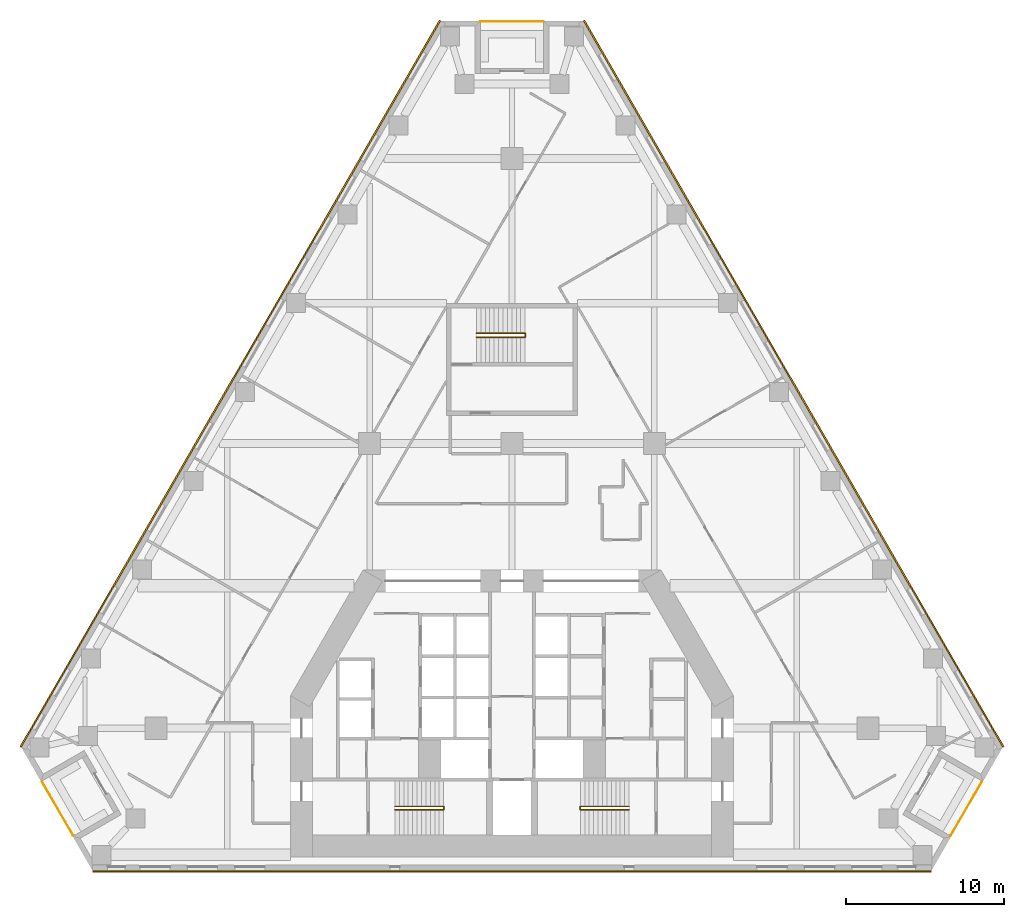
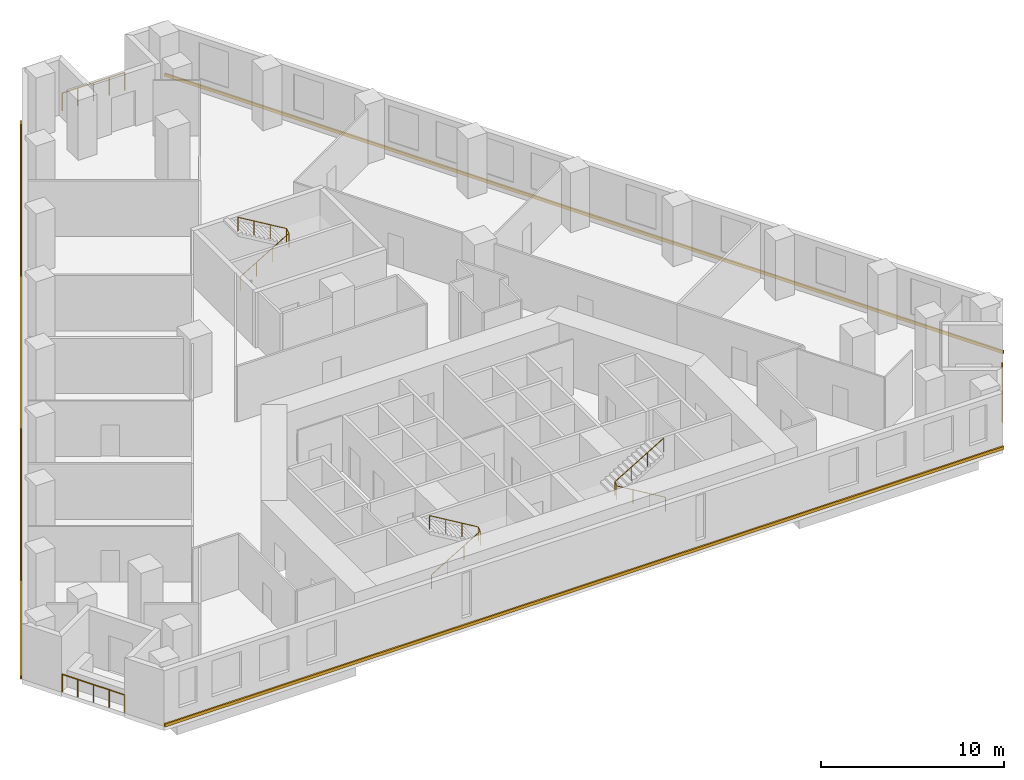
# One storey, part 9 of 9: 6 railings, 3 coverings.
"""IFC4 building model written with IfcOpenShell, lengths in metres."""

from ifc_helpers import new_model, si_unit, direction, frame, origin, origin_2d, place, context, subcontext, project, spatial, polyline, circle, outline, extrude, material, type_object, element, save


model = new_model("IFC4")

# Units and contexts
model_context = context("Model", 3, precision=1e-05, world=origin(), true_north=direction((0.0, 1.0)))
body_context = subcontext(model_context, "Body", "Model", "MODEL_VIEW")
ifc_project = project(units=[si_unit("LENGTHUNIT", "METRE"), si_unit("AREAUNIT", "SQUARE_METRE"), si_unit("VOLUMEUNIT", "CUBIC_METRE"), si_unit("PLANEANGLEUNIT", "RADIAN"), si_unit("MASSUNIT", "GRAM", prefix="KILO")], contexts=[model_context])

# Site, building, storey
site_placement = place(None, origin())
site = spatial("IfcSite", under=ifc_project, at=site_placement, CompositionType="ELEMENT")
building_placement = place(site_placement, origin())
building = spatial("IfcBuilding", under=site, at=building_placement, Name="Fogline Exchange Tower", CompositionType="ELEMENT")
storey_placement = place(building_placement, frame((0.0, 0.0, 80.89990234375)))
storey = spatial("IfcBuildingStorey", under=building, at=storey_placement, Name="L17", CompositionType="ELEMENT", Elevation=80.89990234375)

# Railings
ifc_material_1 = material(Name="Stainless steel 304", Category="steel")
railing_type_1 = type_object("IfcRailingType", Name="G1", PredefinedType="GUARDRAIL", material=ifc_material_1)
railing_1_placement = place(storey_placement, frame((-29.70654296875, 5.635986328125, 0.0)))
element("IfcRailing", 1, at=railing_1_placement, inside=storey, type_object=railing_type_1, Name="Balcony guard L17 SW", PredefinedType="GUARDRAIL", context=body_context, shape_type="SweptSolid", body=[
    extrude(circle(Radius=0.02392578125, at=origin_2d()), frame((0.0, 0.0, 1.17578125), z_axis=(0.500000102728, -0.866025344474, 0.0), x_axis=(0.866025344474, 0.500000102728, 0.0)), (0.0, 0.0, 1.0), 3.9580078125),
    extrude(circle(Radius=0.02099609375, at=origin_2d()), origin(), (0.0, 0.0, 1.0), 1.15185546875),
    extrude(circle(Radius=0.02099609375, at=origin_2d()), frame((0.49462890625, -0.85693359375, 0.0)), (0.0, 0.0, 1.0), 1.15185546875),
    extrude(circle(Radius=0.02099609375, at=origin_2d()), frame((0.989501953125, -1.7138671875, 0.0)), (0.0, 0.0, 1.0), 1.15185546875),
    extrude(circle(Radius=0.02099609375, at=origin_2d()), frame((1.484375, -2.57080078125, 0.0)), (0.0, 0.0, 1.0), 1.15185546875),
    extrude(circle(Radius=0.02099609375, at=origin_2d()), frame((1.97900390625, -3.427734375, 0.0)), (0.0, 0.0, 1.0), 1.15185546875),
])
railing_2_placement = place(storey_placement, frame((27.7275390625, 2.208251953125, 0.0)))
element("IfcRailing", 2, at=railing_2_placement, inside=storey, type_object=railing_type_1, Name="Balcony guard L17 SE", PredefinedType="GUARDRAIL", context=body_context, shape_type="SweptSolid", body=[
    extrude(circle(Radius=0.02392578125, at=origin_2d()), frame((0.0, 0.0, 1.17578125), z_axis=(0.500000102728, 0.866025344474, 0.0), x_axis=(-0.866025344474, 0.500000102728, 0.0)), (0.0, 0.0, 1.0), 3.9580078125),
    extrude(circle(Radius=0.02099609375, at=origin_2d()), origin(), (0.0, 0.0, 1.0), 1.15185546875),
    extrude(circle(Radius=0.02099609375, at=origin_2d()), frame((0.49462890625, 0.85693359375, 0.0)), (0.0, 0.0, 1.0), 1.15185546875),
    extrude(circle(Radius=0.02099609375, at=origin_2d()), frame((0.989501953125, 1.7138671875, 0.0)), (0.0, 0.0, 1.0), 1.15185546875),
    extrude(circle(Radius=0.02099609375, at=origin_2d()), frame((1.484375, 2.57080078125, 0.0)), (0.0, 0.0, 1.0), 1.15185546875),
    extrude(circle(Radius=0.02099609375, at=origin_2d()), frame((1.97900390625, 3.427734375, 0.0)), (0.0, 0.0, 1.0), 1.15185546875),
])
railing_3_placement = place(storey_placement, frame((1.97900390625, 53.66162109375, 0.0)))
element("IfcRailing", 3, at=railing_3_placement, inside=storey, type_object=railing_type_1, Name="Balcony guard L17 N", PredefinedType="GUARDRAIL", context=body_context, shape_type="SweptSolid", body=[
    extrude(circle(Radius=0.02392578125, at=origin_2d()), frame((0.0, 0.0, 1.17578125), z_axis=(-1.0, 0.0, 0.0), x_axis=(0.0, -1.0, 0.0)), (0.0, 0.0, 1.0), 3.9580078125),
    extrude(circle(Radius=0.02099609375, at=origin_2d()), origin(), (0.0, 0.0, 1.0), 1.15185546875),
    extrude(circle(Radius=0.02099609375, at=origin_2d()), frame((-0.989501953125, 0.0, 0.0)), (0.0, 0.0, 1.0), 1.15185546875),
    extrude(circle(Radius=0.02099609375, at=origin_2d()), frame((-1.97900390625, 0.0, 0.0)), (0.0, 0.0, 1.0), 1.15185546875),
    extrude(circle(Radius=0.02099609375, at=origin_2d()), frame((-2.968505859375, 0.0, 0.0)), (0.0, 0.0, 1.0), 1.15185546875),
    extrude(circle(Radius=0.02099609375, at=origin_2d()), frame((-3.9580078125, 0.0, 0.0)), (0.0, 0.0, 1.0), 1.15185546875),
])
ifc_material_2 = material(Name="Steel Q235B", Category="steel")
railing_type_2 = type_object("IfcRailingType", Name="RL-HR", PredefinedType="HANDRAIL", material=ifc_material_2)
railing_4_placement = place(storey_placement, frame((-7.39990234375, 3.85009765625, 0.166748046875)))
element("IfcRailing", 4, at=railing_4_placement, inside=storey, type_object=railing_type_2, Name="Handrail ST1", PredefinedType="HANDRAIL", context=body_context, shape_type="SweptSolid", body=[
    extrude(circle(Radius=0.02392578125, at=origin_2d()), frame((0.0, 0.0, 0.92578125), z_axis=(0.859290745958, 0.0, 0.51148745235), x_axis=(0.0, 1.0, 0.0)), (0.0, 0.0, 1.0), 3.584228515625),
    extrude(circle(Radius=0.02392578125, at=origin_2d()), frame((3.079833984375, 0.0, 2.75927734375), z_axis=(0.0, 0.767990643491, 0.640461061666), x_axis=(-1.0, 0.0, 0.0)), (0.0, 0.0, 1.0), 0.26025390625),
    extrude(circle(Radius=0.02392578125, at=origin_2d()), frame((3.079833984375, 0.199951171875, 2.92578125), z_axis=(-0.859290745958, 0.0, 0.51148745235), x_axis=(0.0, -1.0, 0.0)), (0.0, 0.0, 1.0), 3.584228515625),
    extrude(circle(Radius=0.02099609375, at=origin_2d()), origin(), (0.0, 0.0, 1.0), 0.90185546875),
    extrude(circle(Radius=0.02099609375, at=origin_2d()), frame((1.026611328125, 0.0, 0.611083984375)), (0.0, 0.0, 1.0), 0.90185546875),
    extrude(circle(Radius=0.02099609375, at=origin_2d()), frame((2.05322265625, 0.0, 1.22216796875)), (0.0, 0.0, 1.0), 0.90185546875),
    extrude(circle(Radius=0.02099609375, at=origin_2d()), frame((3.079833984375, 0.0, 1.833251953125)), (0.0, 0.0, 1.0), 0.90185546875),
    extrude(circle(Radius=0.02099609375, at=origin_2d()), frame((3.079833984375, 0.199951171875, 2.0)), (0.0, 0.0, 1.0), 0.90185546875),
    extrude(circle(Radius=0.02099609375, at=origin_2d()), frame((2.05322265625, 0.199951171875, 2.611083984375)), (0.0, 0.0, 1.0), 0.90185546875),
    extrude(circle(Radius=0.02099609375, at=origin_2d()), frame((1.026611328125, 0.199951171875, 3.22216796875)), (0.0, 0.0, 1.0), 0.90185546875),
    extrude(circle(Radius=0.02099609375, at=origin_2d()), frame((0.0, 0.199951171875, 3.833251953125)), (0.0, 0.0, 1.0), 0.90185546875),
])
railing_5_placement = place(storey_placement, frame((7.39990234375, 3.85009765625, 0.166748046875)))
element("IfcRailing", 5, at=railing_5_placement, inside=storey, type_object=railing_type_2, Name="Handrail ST2", PredefinedType="HANDRAIL", context=body_context, shape_type="SweptSolid", body=[
    extrude(circle(Radius=0.02392578125, at=origin_2d()), frame((0.0, 0.0, 0.92578125), z_axis=(-0.859290745958, 0.0, 0.51148745235), x_axis=(0.0, -1.0, 0.0)), (0.0, 0.0, 1.0), 3.584228515625),
    extrude(circle(Radius=0.02392578125, at=origin_2d()), frame((-3.079833984375, 0.0, 2.75927734375), z_axis=(0.0, 0.767990643491, 0.640461061666), x_axis=(-1.0, 0.0, 0.0)), (0.0, 0.0, 1.0), 0.26025390625),
    extrude(circle(Radius=0.02392578125, at=origin_2d()), frame((-3.079833984375, 0.199951171875, 2.92578125), z_axis=(0.859290745958, 0.0, 0.51148745235), x_axis=(0.0, 1.0, 0.0)), (0.0, 0.0, 1.0), 3.584228515625),
    extrude(circle(Radius=0.02099609375, at=origin_2d()), origin(), (0.0, 0.0, 1.0), 0.90185546875),
    extrude(circle(Radius=0.02099609375, at=origin_2d()), frame((-1.026611328125, 0.0, 0.611083984375)), (0.0, 0.0, 1.0), 0.90185546875),
    extrude(circle(Radius=0.02099609375, at=origin_2d()), frame((-2.05322265625, 0.0, 1.22216796875)), (0.0, 0.0, 1.0), 0.90185546875),
    extrude(circle(Radius=0.02099609375, at=origin_2d()), frame((-3.079833984375, 0.0, 1.833251953125)), (0.0, 0.0, 1.0), 0.90185546875),
    extrude(circle(Radius=0.02099609375, at=origin_2d()), frame((-3.079833984375, 0.199951171875, 2.0)), (0.0, 0.0, 1.0), 0.90185546875),
    extrude(circle(Radius=0.02099609375, at=origin_2d()), frame((-2.05322265625, 0.199951171875, 2.611083984375)), (0.0, 0.0, 1.0), 0.90185546875),
    extrude(circle(Radius=0.02099609375, at=origin_2d()), frame((-1.026611328125, 0.199951171875, 3.22216796875)), (0.0, 0.0, 1.0), 0.90185546875),
    extrude(circle(Radius=0.02099609375, at=origin_2d()), frame((0.0, 0.199951171875, 3.833251953125)), (0.0, 0.0, 1.0), 0.90185546875),
])
railing_6_placement = place(storey_placement, frame((-2.25, 33.70703125, 0.166748046875)))
element("IfcRailing", 6, at=railing_6_placement, inside=storey, type_object=railing_type_2, Name="Handrail ST3", PredefinedType="HANDRAIL", context=body_context, shape_type="SweptSolid", body=[
    extrude(circle(Radius=0.02392578125, at=origin_2d()), frame((0.0, 0.0, 0.92578125), z_axis=(0.859308565015, 0.0, 0.511457515432), x_axis=(0.0, 1.0, 0.0)), (0.0, 0.0, 1.0), 3.58447265625),
    extrude(circle(Radius=0.02392578125, at=origin_2d()), frame((3.080078125, 0.0, 2.75927734375), z_axis=(0.0, 0.831925284441, 0.554887665306), x_axis=(-1.0, 0.0, 0.0)), (0.0, 0.0, 1.0), 0.300537109375),
    extrude(circle(Radius=0.02392578125, at=origin_2d()), frame((3.080078125, 0.25, 2.92578125), z_axis=(-0.859308565015, 0.0, 0.511457515432), x_axis=(0.0, -1.0, 0.0)), (0.0, 0.0, 1.0), 3.58447265625),
    extrude(circle(Radius=0.02099609375, at=origin_2d()), origin(), (0.0, 0.0, 1.0), 0.90185546875),
    extrude(circle(Radius=0.02099609375, at=origin_2d()), frame((1.026611328125, 0.0, 0.611083984375)), (0.0, 0.0, 1.0), 0.90185546875),
    extrude(circle(Radius=0.02099609375, at=origin_2d()), frame((2.053466796875, 0.0, 1.22216796875)), (0.0, 0.0, 1.0), 0.90185546875),
    extrude(circle(Radius=0.02099609375, at=origin_2d()), frame((3.080078125, 0.0, 1.833251953125)), (0.0, 0.0, 1.0), 0.90185546875),
    extrude(circle(Radius=0.02099609375, at=origin_2d()), frame((3.080078125, 0.25, 2.0)), (0.0, 0.0, 1.0), 0.90185546875),
    extrude(circle(Radius=0.02099609375, at=origin_2d()), frame((2.053466796875, 0.25, 2.611083984375)), (0.0, 0.0, 1.0), 0.90185546875),
    extrude(circle(Radius=0.02099609375, at=origin_2d()), frame((1.026611328125, 0.25, 3.22216796875)), (0.0, 0.0, 1.0), 0.90185546875),
    extrude(circle(Radius=0.02099609375, at=origin_2d()), frame((0.0, 0.25, 3.833251953125)), (0.0, 0.0, 1.0), 0.90185546875),
])

# Coverings
ifc_material_3 = material(Name="Brick masonry", Category="masonry")
covering_type = type_object("IfcCoveringType", Name="SB1", PredefinedType="CLADDING", material=ifc_material_3)
covering_1_placement = place(storey_placement, origin())
element("IfcCovering", 7, at=covering_1_placement, inside=storey, type_object=covering_type, Name="Stringcourse band L17 S", PredefinedType="CLADDING", context=body_context, shape_type="SweptSolid", body=[
    extrude(outline(polyline([(-26.510498046875, 0.0), (-26.510498046875, -0.10009765625), (26.510498046875, -0.10009765625), (26.510498046875, 0.0), (-26.510498046875, 0.0)])), origin(), (0.0, 0.0, 1.0), 0.2001953125),
])
covering_2_placement = place(storey_placement, origin())
element("IfcCovering", 8, at=covering_2_placement, inside=storey, type_object=covering_type, Name="Stringcourse band L17 E", PredefinedType="CLADDING", context=body_context, shape_type="SweptSolid", body=[
    extrude(outline(polyline([(31.010498046875, 7.794189453125), (31.096923828125, 7.84423828125), (4.586669921875, 53.76171875), (4.5, 53.711669921875), (31.010498046875, 7.794189453125)])), origin(), (0.0, 0.0, 1.0), 0.2001953125),
])
covering_3_placement = place(storey_placement, origin())
element("IfcCovering", 9, at=covering_3_placement, inside=storey, type_object=covering_type, Name="Stringcourse band L17 W", PredefinedType="CLADDING", context=body_context, shape_type="SweptSolid", body=[
    extrude(outline(polyline([(-4.5, 53.711669921875), (-4.586669921875, 53.76171875), (-31.096923828125, 7.84423828125), (-31.010498046875, 7.794189453125), (-4.5, 53.711669921875)])), origin(), (0.0, 0.0, 1.0), 0.2001953125),
])

save(model, "model.ifc")
